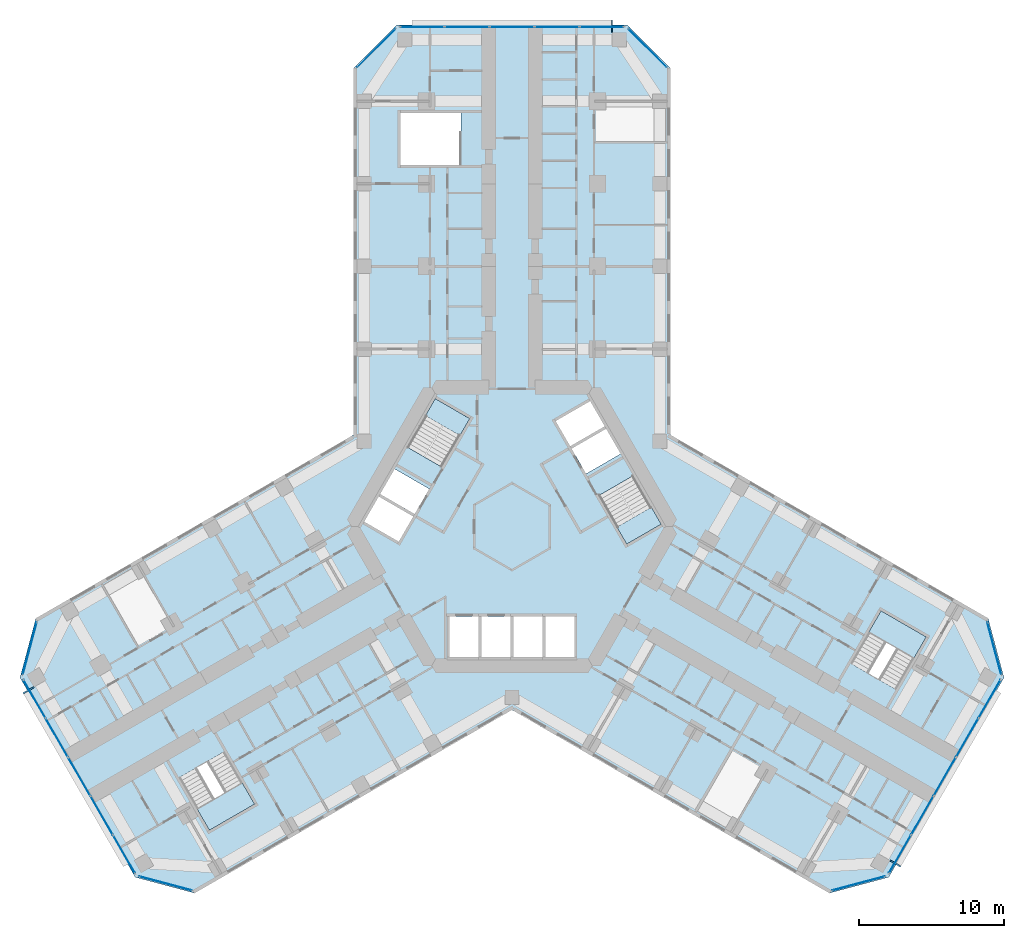
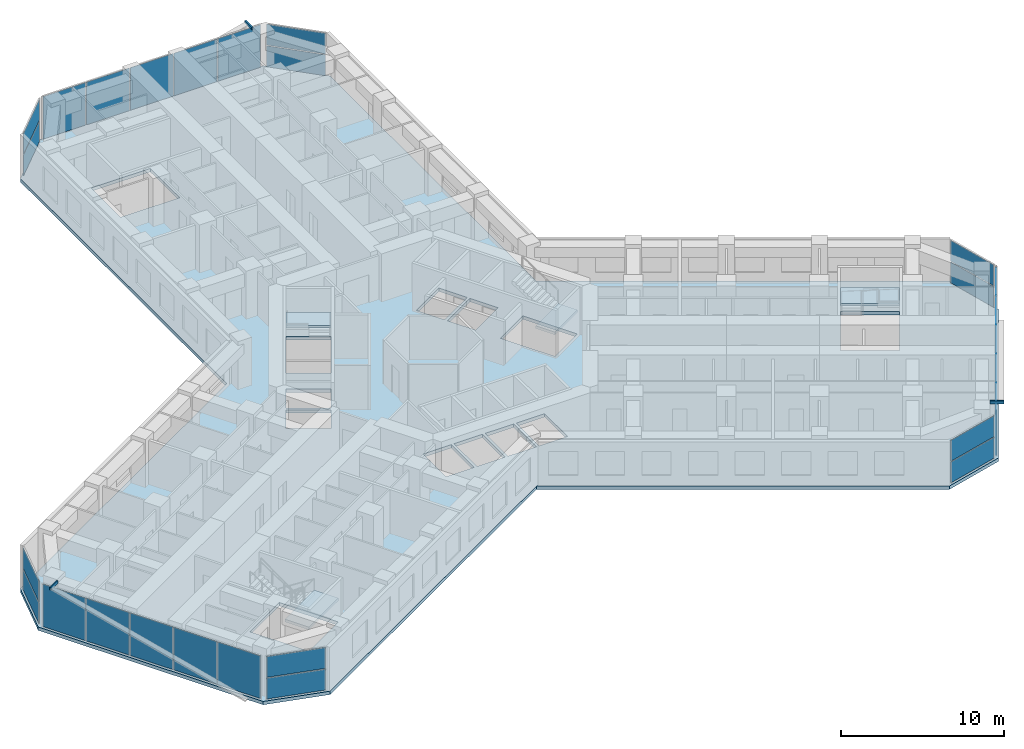
# One storey, part 9 of 21: 27 plates, 5 slabs, 3 members, 13 elements without a shape of their own.
"""IFC4 building model written with IfcOpenShell, lengths in metres."""

from ifc_helpers import new_model, si_unit, direction, frame, origin, origin_2d, place, context, subcontext, project, spatial, polyline, rectangle, hollow_rectangle, outline, extrude, material, layer, layer_set, material_profile, profile_set, type_object, element, aggregate, save


model = new_model("IFC4")

# Units and contexts
model_context = context("Model", 3, precision=1e-05, world=origin(), true_north=direction((0.0, 1.0)))
body_context = subcontext(model_context, "Body", "Model", "MODEL_VIEW")
ifc_project = project(units=[si_unit("LENGTHUNIT", "METRE"), si_unit("AREAUNIT", "SQUARE_METRE"), si_unit("VOLUMEUNIT", "CUBIC_METRE"), si_unit("PLANEANGLEUNIT", "RADIAN"), si_unit("MASSUNIT", "GRAM", prefix="KILO")], contexts=[model_context])

# Site, building, storey
site_placement = place(None, origin())
site = spatial("IfcSite", under=ifc_project, at=site_placement, CompositionType="ELEMENT")
building_placement = place(site_placement, origin())
building = spatial("IfcBuilding", under=site, at=building_placement, Name="Kosmar Iwan School Tower", CompositionType="ELEMENT")
storey_placement = place(building_placement, frame((0.0, 0.0, 109.60009765625)))
storey = spatial("IfcBuildingStorey", under=building, at=storey_placement, Name="L27", CompositionType="ELEMENT", Elevation=109.60009765625)

# Members
ifc_material_1 = material(Name="Steel S355", Category="steel")
ifc_material_profile = material_profile(ifc_material_1, hollow_rectangle(XDim=0.10009765625, YDim=0.199951171875, WallThickness=0.008056640625, at=origin_2d()), Name="RHS 200x100x8")
ifc_profile_set = profile_set([ifc_material_profile], Name="Steel S355")
member_type = type_object("IfcMemberType", Name="Fin bracket RHS 200x100", PredefinedType="USERDEFINED", material=ifc_profile_set)
member_1_placement = place(storey_placement, frame((26.08154296875, -23.025634765625, 3.449951171875), z_axis=(0.865989465428, -0.500062241894, 0.0), x_axis=(0.500062241894, 0.865989465428, 0.0)))
element("IfcMember", 1, at=member_1_placement, inside=storey, type_object=member_type, Name="Fin bracket L28", ObjectType="FIN BRACKET", PredefinedType="USERDEFINED", context=body_context, shape_type="SweptSolid", body=[
    extrude(hollow_rectangle(XDim=0.10009765625, YDim=0.199951171875, WallThickness=0.008056640625, at=origin_2d()), origin(), (0.0, 0.0, 1.0), 0.85009765625),
])
member_2_placement = place(storey_placement, frame((6.89990234375, 34.10009765625, 3.449951171875), z_axis=(0.0, 1.0, 0.0), x_axis=(-1.0, 0.0, 0.0)))
element("IfcMember", 2, at=member_2_placement, inside=storey, type_object=member_type, Name="Fin bracket L28", ObjectType="FIN BRACKET", PredefinedType="USERDEFINED", context=body_context, shape_type="SweptSolid", body=[
    extrude(hollow_rectangle(XDim=0.10009765625, YDim=0.199951171875, WallThickness=0.008056640625, at=origin_2d()), origin(), (0.0, 0.0, 1.0), 0.849853515625),
])
member_3_placement = place(storey_placement, frame((-32.9814453125, -11.074462890625, 3.449951171875), z_axis=(-0.865989465428, -0.500062241894, 0.0), x_axis=(0.500062241894, -0.865989465428, 0.0)))
element("IfcMember", 3, at=member_3_placement, inside=storey, type_object=member_type, Name="Fin bracket L28", ObjectType="FIN BRACKET", PredefinedType="USERDEFINED", context=body_context, shape_type="SweptSolid", body=[
    extrude(hollow_rectangle(XDim=0.10009765625, YDim=0.199951171875, WallThickness=0.008056640625, at=origin_2d()), origin(), (0.0, 0.0, 1.0), 0.85009765625),
])

# Curtain wall, plates
ifc_material_2 = material(Name="Dark glass in black aluminium frame", Category="aluminium")
curtain_wall_type_1 = type_object("IfcCurtainWallType", Name="Chamfer curtain wall dark glass", PredefinedType="USERDEFINED", material=ifc_material_2)
curtain_wall_1_placement = place(storey_placement, origin())
curtain_wall_1 = element("IfcCurtainWall", 4, at=curtain_wall_1_placement, inside=storey, type_object=curtain_wall_type_1, Name="Curtain wall L27-F02", ObjectType="FACETED CURTAIN WALL", PredefinedType="USERDEFINED")
ifc_material_3 = material(Name="Dark glass", Category="glass")
ifc_layer_1 = layer(ifc_material_3, 0.028076171875)
ifc_layer_set_1 = layer_set([ifc_layer_1], Name="Dark glass panel 28")
plate_type = type_object("IfcPlateType", Name="Dark glass panel 28", PredefinedType="CURTAIN_PANEL", material=ifc_layer_set_1)
plate_1_placement = place(storey_placement, frame((23.908203125, -24.61328125, 0.059814453125), z_axis=(0.0, 0.0, 1.0), x_axis=(0.965925875495, 0.258818861462, 0.0)))
plate_1 = element("IfcPlate", 5, at=plate_1_placement, type_object=plate_type, Name="CW2 panel 1.1", PredefinedType="CURTAIN_PANEL", context=body_context, shape_type="SweptSolid", body=[
    extrude(rectangle(XDim=3.718994140625, YDim=0.028076171875, at=origin_2d()), origin(), (0.0, 0.0, 1.0), 1.56005859375),
])
plate_2_placement = place(storey_placement, frame((23.908203125, -24.61328125, 1.679931640625), z_axis=(0.0, 0.0, 1.0), x_axis=(0.965925875495, 0.258818861462, 0.0)))
plate_2 = element("IfcPlate", 6, at=plate_2_placement, type_object=plate_type, Name="CW2 panel 1.2", PredefinedType="CURTAIN_PANEL", context=body_context, shape_type="SweptSolid", body=[
    extrude(rectangle(XDim=3.718994140625, YDim=0.028076171875, at=origin_2d()), origin(), (0.0, 0.0, 1.0), 1.56005859375),
])
aggregate(curtain_wall_1, [plate_1, plate_2])

ifc_material_4 = material(Name="Dark glass in black aluminium frame", Category="aluminium")
curtain_wall_type_2 = type_object("IfcCurtainWallType", Name="Tower curtain wall dark glass", PredefinedType="USERDEFINED", material=ifc_material_4)
curtain_wall_2_placement = place(storey_placement, origin())
curtain_wall_2 = element("IfcCurtainWall", 7, at=curtain_wall_2_placement, inside=storey, type_object=curtain_wall_type_2, Name="Curtain wall L27-F03", ObjectType="UNITISED CURTAIN WALL", PredefinedType="USERDEFINED")
plate_3_placement = place(storey_placement, frame((26.764404296875, -22.592529296875, 0.06005859375), z_axis=(0.0, 0.0, 1.0), x_axis=(0.499999997325, 0.866025405329, 0.0)))
plate_3 = element("IfcPlate", 8, at=plate_3_placement, type_object=plate_type, Name="CW1 panel 1.1", PredefinedType="CURTAIN_PANEL", context=body_context, shape_type="SweptSolid", body=[
    extrude(rectangle(XDim=3.00927734375, YDim=0.028076171875, at=origin_2d()), origin(), (0.0, 0.0, 1.0), 3.179931640625),
])
plate_4_placement = place(storey_placement, frame((28.306640625, -19.921630859375, 0.06005859375), z_axis=(0.0, 0.0, 1.0), x_axis=(0.499999997325, 0.866025405329, 0.0)))
plate_4 = element("IfcPlate", 9, at=plate_4_placement, type_object=plate_type, Name="CW1 panel 2.1", PredefinedType="CURTAIN_PANEL", context=body_context, shape_type="SweptSolid", body=[
    extrude(rectangle(XDim=3.039306640625, YDim=0.028076171875, at=origin_2d()), origin(), (0.0, 0.0, 1.0), 3.179931640625),
])
plate_5_placement = place(storey_placement, frame((29.856201171875, -17.237548828125, 0.06005859375), z_axis=(0.0, 0.0, 1.0), x_axis=(0.499999997325, 0.866025405329, 0.0)))
plate_5 = element("IfcPlate", 10, at=plate_5_placement, type_object=plate_type, Name="CW1 panel 3.1", PredefinedType="CURTAIN_PANEL", context=body_context, shape_type="SweptSolid", body=[
    extrude(rectangle(XDim=3.039306640625, YDim=0.028076171875, at=origin_2d()), origin(), (0.0, 0.0, 1.0), 3.179931640625),
])
plate_6_placement = place(storey_placement, frame((31.40576171875, -14.553466796875, 0.06005859375), z_axis=(0.0, 0.0, 1.0), x_axis=(0.499999997325, 0.866025405329, 0.0)))
plate_6 = element("IfcPlate", 11, at=plate_6_placement, type_object=plate_type, Name="CW1 panel 4.1", PredefinedType="CURTAIN_PANEL", context=body_context, shape_type="SweptSolid", body=[
    extrude(rectangle(XDim=3.039306640625, YDim=0.028076171875, at=origin_2d()), origin(), (0.0, 0.0, 1.0), 3.179931640625),
])
plate_7_placement = place(storey_placement, frame((32.947998046875, -11.88232421875, 0.06005859375), z_axis=(0.0, 0.0, 1.0), x_axis=(0.499999997325, 0.866025405329, 0.0)))
plate_7 = element("IfcPlate", 12, at=plate_7_placement, type_object=plate_type, Name="CW1 panel 5.1", PredefinedType="CURTAIN_PANEL", context=body_context, shape_type="SweptSolid", body=[
    extrude(rectangle(XDim=3.00927734375, YDim=0.028076171875, at=origin_2d()), origin(), (0.0, 0.0, 1.0), 3.179931640625),
])
aggregate(curtain_wall_2, [plate_3, plate_4, plate_5, plate_6, plate_7])

curtain_wall_3_placement = place(storey_placement, origin())
curtain_wall_3 = element("IfcCurtainWall", 13, at=curtain_wall_3_placement, inside=storey, type_object=curtain_wall_type_1, Name="Curtain wall L27-F04", ObjectType="FACETED CURTAIN WALL", PredefinedType="USERDEFINED")
plate_8_placement = place(storey_placement, frame((33.269775390625, -8.3984375, 0.059814453125), z_axis=(0.0, 0.0, 1.0), x_axis=(-0.258818861462, 0.965925875495, 0.0)))
plate_8 = element("IfcPlate", 14, at=plate_8_placement, type_object=plate_type, Name="CW2 panel 1.1", PredefinedType="CURTAIN_PANEL", context=body_context, shape_type="SweptSolid", body=[
    extrude(rectangle(XDim=3.718994140625, YDim=0.028076171875, at=origin_2d()), origin(), (0.0, 0.0, 1.0), 1.56005859375),
])
plate_9_placement = place(storey_placement, frame((33.269775390625, -8.3984375, 1.679931640625), z_axis=(0.0, 0.0, 1.0), x_axis=(-0.258818861462, 0.965925875495, 0.0)))
plate_9 = element("IfcPlate", 15, at=plate_9_placement, type_object=plate_type, Name="CW2 panel 1.2", PredefinedType="CURTAIN_PANEL", context=body_context, shape_type="SweptSolid", body=[
    extrude(rectangle(XDim=3.718994140625, YDim=0.028076171875, at=origin_2d()), origin(), (0.0, 0.0, 1.0), 1.56005859375),
])
aggregate(curtain_wall_3, [plate_8, plate_9])

curtain_wall_4_placement = place(storey_placement, origin())
curtain_wall_4 = element("IfcCurtainWall", 16, at=curtain_wall_4_placement, inside=storey, type_object=curtain_wall_type_1, Name="Curtain wall L27-F07", ObjectType="FACETED CURTAIN WALL", PredefinedType="USERDEFINED")
plate_10_placement = place(storey_placement, frame((9.361572265625, 33.01171875, 0.059814453125), z_axis=(0.0, 0.0, 1.0), x_axis=(-0.707106781187, 0.707106781187, 0.0)))
plate_10 = element("IfcPlate", 17, at=plate_10_placement, type_object=plate_type, Name="CW2 panel 1.1", PredefinedType="CURTAIN_PANEL", context=body_context, shape_type="SweptSolid", body=[
    extrude(rectangle(XDim=3.718994140625, YDim=0.028076171875, at=origin_2d()), origin(), (0.0, 0.0, 1.0), 1.56005859375),
])
plate_11_placement = place(storey_placement, frame((9.361572265625, 33.01171875, 1.679931640625), z_axis=(0.0, 0.0, 1.0), x_axis=(-0.707106781187, 0.707106781187, 0.0)))
plate_11 = element("IfcPlate", 18, at=plate_11_placement, type_object=plate_type, Name="CW2 panel 1.2", PredefinedType="CURTAIN_PANEL", context=body_context, shape_type="SweptSolid", body=[
    extrude(rectangle(XDim=3.718994140625, YDim=0.028076171875, at=origin_2d()), origin(), (0.0, 0.0, 1.0), 1.56005859375),
])
aggregate(curtain_wall_4, [plate_10, plate_11])

curtain_wall_5_placement = place(storey_placement, origin())
curtain_wall_5 = element("IfcCurtainWall", 19, at=curtain_wall_5_placement, inside=storey, type_object=curtain_wall_type_2, Name="Curtain wall L27-F08", ObjectType="UNITISED CURTAIN WALL", PredefinedType="USERDEFINED")
plate_12_placement = place(storey_placement, frame((6.18359375, 34.47509765625, 0.06005859375), z_axis=(0.0, 0.0, 1.0), x_axis=(-1.0, 0.0, 0.0)))
plate_12 = element("IfcPlate", 20, at=plate_12_placement, type_object=plate_type, Name="CW1 panel 1.1", PredefinedType="CURTAIN_PANEL", context=body_context, shape_type="SweptSolid", body=[
    extrude(rectangle(XDim=3.00927734375, YDim=0.028076171875, at=origin_2d()), origin(), (0.0, 0.0, 1.0), 3.179931640625),
])
plate_13_placement = place(storey_placement, frame((3.099365234375, 34.47509765625, 0.06005859375), z_axis=(0.0, 0.0, 1.0), x_axis=(-1.0, 0.0, 0.0)))
plate_13 = element("IfcPlate", 21, at=plate_13_placement, type_object=plate_type, Name="CW1 panel 2.1", PredefinedType="CURTAIN_PANEL", context=body_context, shape_type="SweptSolid", body=[
    extrude(rectangle(XDim=3.039306640625, YDim=0.028076171875, at=origin_2d()), origin(), (0.0, 0.0, 1.0), 3.179931640625),
])
plate_14_placement = place(storey_placement, frame((0.0, 34.47509765625, 0.06005859375), z_axis=(0.0, 0.0, 1.0), x_axis=(-1.0, 0.0, 0.0)))
plate_14 = element("IfcPlate", 22, at=plate_14_placement, type_object=plate_type, Name="CW1 panel 3.1", PredefinedType="CURTAIN_PANEL", context=body_context, shape_type="SweptSolid", body=[
    extrude(rectangle(XDim=3.039306640625, YDim=0.028076171875, at=origin_2d()), origin(), (0.0, 0.0, 1.0), 3.179931640625),
])
plate_15_placement = place(storey_placement, frame((-3.099365234375, 34.47509765625, 0.06005859375), z_axis=(0.0, 0.0, 1.0), x_axis=(-1.0, 0.0, 0.0)))
plate_15 = element("IfcPlate", 23, at=plate_15_placement, type_object=plate_type, Name="CW1 panel 4.1", PredefinedType="CURTAIN_PANEL", context=body_context, shape_type="SweptSolid", body=[
    extrude(rectangle(XDim=3.039306640625, YDim=0.028076171875, at=origin_2d()), origin(), (0.0, 0.0, 1.0), 3.179931640625),
])
plate_16_placement = place(storey_placement, frame((-6.18359375, 34.47509765625, 0.06005859375), z_axis=(0.0, 0.0, 1.0), x_axis=(-1.0, 0.0, 0.0)))
plate_16 = element("IfcPlate", 24, at=plate_16_placement, type_object=plate_type, Name="CW1 panel 5.1", PredefinedType="CURTAIN_PANEL", context=body_context, shape_type="SweptSolid", body=[
    extrude(rectangle(XDim=3.00927734375, YDim=0.028076171875, at=origin_2d()), origin(), (0.0, 0.0, 1.0), 3.179931640625),
])
aggregate(curtain_wall_5, [plate_12, plate_13, plate_14, plate_15, plate_16])

curtain_wall_6_placement = place(storey_placement, origin())
curtain_wall_6 = element("IfcCurtainWall", 25, at=curtain_wall_6_placement, inside=storey, type_object=curtain_wall_type_1, Name="Curtain wall L27-F09", ObjectType="FACETED CURTAIN WALL", PredefinedType="USERDEFINED")
plate_17_placement = place(storey_placement, frame((-9.361572265625, 33.01171875, 0.059814453125), z_axis=(0.0, 0.0, 1.0), x_axis=(-0.707106781187, -0.707106781187, 0.0)))
plate_17 = element("IfcPlate", 26, at=plate_17_placement, type_object=plate_type, Name="CW2 panel 1.1", PredefinedType="CURTAIN_PANEL", context=body_context, shape_type="SweptSolid", body=[
    extrude(rectangle(XDim=3.718994140625, YDim=0.028076171875, at=origin_2d()), origin(), (0.0, 0.0, 1.0), 1.56005859375),
])
plate_18_placement = place(storey_placement, frame((-9.361572265625, 33.01171875, 1.679931640625), z_axis=(0.0, 0.0, 1.0), x_axis=(-0.707106781187, -0.707106781187, 0.0)))
plate_18 = element("IfcPlate", 27, at=plate_18_placement, type_object=plate_type, Name="CW2 panel 1.2", PredefinedType="CURTAIN_PANEL", context=body_context, shape_type="SweptSolid", body=[
    extrude(rectangle(XDim=3.718994140625, YDim=0.028076171875, at=origin_2d()), origin(), (0.0, 0.0, 1.0), 1.56005859375),
])
aggregate(curtain_wall_6, [plate_17, plate_18])

curtain_wall_7_placement = place(storey_placement, origin())
curtain_wall_7 = element("IfcCurtainWall", 28, at=curtain_wall_7_placement, inside=storey, type_object=curtain_wall_type_1, Name="Curtain wall L27-F12", ObjectType="FACETED CURTAIN WALL", PredefinedType="USERDEFINED")
plate_19_placement = place(storey_placement, frame((-33.269775390625, -8.3984375, 0.059814453125), z_axis=(0.0, 0.0, 1.0), x_axis=(-0.258818861462, -0.965925875495, 0.0)))
plate_19 = element("IfcPlate", 29, at=plate_19_placement, type_object=plate_type, Name="CW2 panel 1.1", PredefinedType="CURTAIN_PANEL", context=body_context, shape_type="SweptSolid", body=[
    extrude(rectangle(XDim=3.718994140625, YDim=0.028076171875, at=origin_2d()), origin(), (0.0, 0.0, 1.0), 1.56005859375),
])
plate_20_placement = place(storey_placement, frame((-33.269775390625, -8.3984375, 1.679931640625), z_axis=(0.0, 0.0, 1.0), x_axis=(-0.258818861462, -0.965925875495, 0.0)))
plate_20 = element("IfcPlate", 30, at=plate_20_placement, type_object=plate_type, Name="CW2 panel 1.2", PredefinedType="CURTAIN_PANEL", context=body_context, shape_type="SweptSolid", body=[
    extrude(rectangle(XDim=3.718994140625, YDim=0.028076171875, at=origin_2d()), origin(), (0.0, 0.0, 1.0), 1.56005859375),
])
aggregate(curtain_wall_7, [plate_19, plate_20])

curtain_wall_8_placement = place(storey_placement, origin())
curtain_wall_8 = element("IfcCurtainWall", 31, at=curtain_wall_8_placement, inside=storey, type_object=curtain_wall_type_2, Name="Curtain wall L27-F13", ObjectType="UNITISED CURTAIN WALL", PredefinedType="USERDEFINED")
plate_21_placement = place(storey_placement, frame((-32.947998046875, -11.88232421875, 0.06005859375), z_axis=(0.0, 0.0, 1.0), x_axis=(0.499999997325, -0.866025405329, 0.0)))
plate_21 = element("IfcPlate", 32, at=plate_21_placement, type_object=plate_type, Name="CW1 panel 1.1", PredefinedType="CURTAIN_PANEL", context=body_context, shape_type="SweptSolid", body=[
    extrude(rectangle(XDim=3.00927734375, YDim=0.028076171875, at=origin_2d()), origin(), (0.0, 0.0, 1.0), 3.179931640625),
])
plate_22_placement = place(storey_placement, frame((-31.40576171875, -14.553466796875, 0.06005859375), z_axis=(0.0, 0.0, 1.0), x_axis=(0.499999997325, -0.866025405329, 0.0)))
plate_22 = element("IfcPlate", 33, at=plate_22_placement, type_object=plate_type, Name="CW1 panel 2.1", PredefinedType="CURTAIN_PANEL", context=body_context, shape_type="SweptSolid", body=[
    extrude(rectangle(XDim=3.039306640625, YDim=0.028076171875, at=origin_2d()), origin(), (0.0, 0.0, 1.0), 3.179931640625),
])
plate_23_placement = place(storey_placement, frame((-29.856201171875, -17.237548828125, 0.06005859375), z_axis=(0.0, 0.0, 1.0), x_axis=(0.499999997325, -0.866025405329, 0.0)))
plate_23 = element("IfcPlate", 34, at=plate_23_placement, type_object=plate_type, Name="CW1 panel 3.1", PredefinedType="CURTAIN_PANEL", context=body_context, shape_type="SweptSolid", body=[
    extrude(rectangle(XDim=3.039306640625, YDim=0.028076171875, at=origin_2d()), origin(), (0.0, 0.0, 1.0), 3.179931640625),
])
plate_24_placement = place(storey_placement, frame((-28.306640625, -19.921630859375, 0.06005859375), z_axis=(0.0, 0.0, 1.0), x_axis=(0.499999997325, -0.866025405329, 0.0)))
plate_24 = element("IfcPlate", 35, at=plate_24_placement, type_object=plate_type, Name="CW1 panel 4.1", PredefinedType="CURTAIN_PANEL", context=body_context, shape_type="SweptSolid", body=[
    extrude(rectangle(XDim=3.039306640625, YDim=0.028076171875, at=origin_2d()), origin(), (0.0, 0.0, 1.0), 3.179931640625),
])
plate_25_placement = place(storey_placement, frame((-26.764404296875, -22.592529296875, 0.06005859375), z_axis=(0.0, 0.0, 1.0), x_axis=(0.499999997325, -0.866025405329, 0.0)))
plate_25 = element("IfcPlate", 36, at=plate_25_placement, type_object=plate_type, Name="CW1 panel 5.1", PredefinedType="CURTAIN_PANEL", context=body_context, shape_type="SweptSolid", body=[
    extrude(rectangle(XDim=3.00927734375, YDim=0.028076171875, at=origin_2d()), origin(), (0.0, 0.0, 1.0), 3.179931640625),
])
aggregate(curtain_wall_8, [plate_21, plate_22, plate_23, plate_24, plate_25])

curtain_wall_9_placement = place(storey_placement, origin())
curtain_wall_9 = element("IfcCurtainWall", 37, at=curtain_wall_9_placement, inside=storey, type_object=curtain_wall_type_1, Name="Curtain wall L27-F14", ObjectType="FACETED CURTAIN WALL", PredefinedType="USERDEFINED")
plate_26_placement = place(storey_placement, frame((-23.908203125, -24.61328125, 0.059814453125), z_axis=(0.0, 0.0, 1.0), x_axis=(0.965925875495, -0.258818861462, 0.0)))
plate_26 = element("IfcPlate", 38, at=plate_26_placement, type_object=plate_type, Name="CW2 panel 1.1", PredefinedType="CURTAIN_PANEL", context=body_context, shape_type="SweptSolid", body=[
    extrude(rectangle(XDim=3.718994140625, YDim=0.028076171875, at=origin_2d()), origin(), (0.0, 0.0, 1.0), 1.56005859375),
])
plate_27_placement = place(storey_placement, frame((-23.908203125, -24.61328125, 1.679931640625), z_axis=(0.0, 0.0, 1.0), x_axis=(0.965925875495, -0.258818861462, 0.0)))
plate_27 = element("IfcPlate", 39, at=plate_27_placement, type_object=plate_type, Name="CW2 panel 1.2", PredefinedType="CURTAIN_PANEL", context=body_context, shape_type="SweptSolid", body=[
    extrude(rectangle(XDim=3.718994140625, YDim=0.028076171875, at=origin_2d()), origin(), (0.0, 0.0, 1.0), 1.56005859375),
])
aggregate(curtain_wall_9, [plate_26, plate_27])

# Stair, slab
ifc_material_5 = material(Name="Concrete C35/45", Category="concrete")
stair_type_1 = type_object("IfcStairType", Name="Escape stair 3600", PredefinedType="HALF_TURN_STAIR", material=ifc_material_5)
stair_1_placement = place(storey_placement, origin())
stair_1 = element("IfcStair", 40, at=stair_1_placement, inside=storey, type_object=stair_type_1, Name="Stair WS2 L27", PredefinedType="HALF_TURN_STAIR")
ifc_material_6 = material(Name="Concrete C35/45", Category="concrete")
ifc_layer_2 = layer(ifc_material_6, 0.199951171875)
ifc_layer_set_2 = layer_set([ifc_layer_2], Name="Escape stair landing 200")
slab_type_1 = type_object("IfcSlabType", Name="Escape stair landing 200", PredefinedType="LANDING", material=ifc_layer_set_2)
slab_1_placement = place(storey_placement, frame((0.0, 0.0, 1.599853515625)))
slab_1 = element("IfcSlab", 41, at=slab_1_placement, type_object=slab_type_1, Name="WS2 landing 1", PredefinedType="LANDING", context=body_context, shape_type="SweptSolid", body=[
    extrude(outline(polyline([(-18.607421875, -17.671142578125), (-21.72509765625, -19.47119140625), (-20.875, -20.943359375), (-17.75732421875, -19.143310546875), (-18.607421875, -17.671142578125)])), origin(), (0.0, 0.0, 1.0), 0.199951171875),
])
aggregate(stair_1, [slab_1])

stair_2_placement = place(storey_placement, origin())
stair_2 = element("IfcStair", 42, at=stair_2_placement, inside=storey, type_object=stair_type_1, Name="Stair WS3 L27", PredefinedType="HALF_TURN_STAIR")
slab_2_placement = place(storey_placement, frame((0.0, 0.0, 1.599853515625)))
slab_2 = element("IfcSlab", 43, at=slab_2_placement, type_object=slab_type_1, Name="WS3 landing 1", PredefinedType="LANDING", context=body_context, shape_type="SweptSolid", body=[
    extrude(outline(polyline([(24.607421875, -7.27880859375), (27.72509765625, -9.078857421875), (28.574951171875, -7.606689453125), (25.457275390625, -5.806640625), (24.607421875, -7.27880859375)])), origin(), (0.0, 0.0, 1.0), 0.199951171875),
])
aggregate(stair_2, [slab_2])

# Slab
ifc_material_7 = material(Name="Concrete C35/45", Category="concrete")
ifc_layer_3 = layer(ifc_material_7, 0.25)
ifc_layer_set_3 = layer_set([ifc_layer_3], Name="Floor slab 250")
slab_type_2 = type_object("IfcSlabType", Name="Floor slab 250", PredefinedType="FLOOR", material=ifc_layer_set_3)
slab_3_placement = place(storey_placement, frame((0.0, 0.0, -0.25)))
element("IfcSlab", 44, at=slab_3_placement, inside=storey, type_object=slab_type_2, Name="L27 floor slab", PredefinedType="FLOOR", context=body_context, shape_type="SweptSolid", body=[
    extrude(outline(polyline([(-21.891357421875, -25.282958984375), (0.0, -12.64404296875), (21.891357421875, -25.282958984375), (25.989501953125, -24.184814453125), (33.939453125, -10.4150390625), (32.84130859375, -6.317138671875), (10.949951171875, 6.322021484375), (10.949951171875, 31.60009765625), (7.949951171875, 34.60009765625), (-7.949951171875, 34.60009765625), (-10.949951171875, 31.60009765625), (-10.949951171875, 6.322021484375), (-32.84130859375, -6.317138671875), (-33.939453125, -10.4150390625), (-25.989501953125, -24.184814453125), (-21.891357421875, -25.282958984375)]), holes=[polyline([(7.91259765625, -1.205078125), (10.294189453125, 0.169921875), (8.3642578125, 3.5126953125), (5.982666015625, 2.1376953125), (7.91259765625, -1.205078125)]), polyline([(-2.91259765625, 7.455078125), (-5.294189453125, 8.830078125), (-7.22412109375, 5.4873046875), (-4.8427734375, 4.1123046875), (-2.91259765625, 7.455078125)]), polyline([(-5.712646484375, 2.60546875), (-8.09423828125, 3.98046875), (-9.09423828125, 2.248291015625), (-6.712646484375, 0.873291015625), (-5.712646484375, 2.60546875)]), polyline([(-6.812744140625, 0.7001953125), (-9.1943359375, 2.0751953125), (-10.1943359375, 0.343017578125), (-7.812744140625, -1.031982421875), (-6.812744140625, 0.7001953125)]), polyline([(5.112548828125, 3.64453125), (7.494140625, 5.01953125), (6.494140625, 6.751708984375), (4.112548828125, 5.376708984375), (5.112548828125, 3.64453125)]), polyline([(4.0126953125, 5.5498046875), (6.394287109375, 6.9248046875), (5.394287109375, 8.656982421875), (3.0126953125, 7.281982421875), (4.0126953125, 5.5498046875)]), polyline([(-4.300048828125, -6.199951171875), (-4.300048828125, -9.0), (-2.300048828125, -9.0), (-2.300048828125, -6.199951171875), (-4.300048828125, -6.199951171875)]), polyline([(-2.10009765625, -6.199951171875), (-2.10009765625, -9.0), (-0.10009765625, -9.0), (-0.10009765625, -6.199951171875), (-2.10009765625, -6.199951171875)]), polyline([(0.10009765625, -6.199951171875), (0.10009765625, -9.0), (2.10009765625, -9.0), (2.10009765625, -6.199951171875), (0.10009765625, -6.199951171875)]), polyline([(2.300048828125, -6.199951171875), (2.300048828125, -9.0), (4.300048828125, -9.0), (4.300048828125, -6.199951171875), (2.300048828125, -6.199951171875)]), polyline([(-3.52001953125, 24.949951171875), (-3.52001953125, 28.550048828125), (-7.699951171875, 28.550048828125), (-7.699951171875, 24.949951171875), (-3.52001953125, 24.949951171875)]), polyline([(-19.847412109375, -15.5234375), (-22.965087890625, -17.323486328125), (-20.875, -20.943359375), (-17.75732421875, -19.143310546875), (-19.847412109375, -15.5234375)]), polyline([(23.367431640625, -9.426513671875), (26.485107421875, -11.2265625), (28.574951171875, -7.606689453125), (25.457275390625, -5.806640625), (23.367431640625, -9.426513671875)])]), origin(), (0.0, 0.0, 1.0), 0.25),
])

# Stair, slab
ifc_material_8 = material(Name="Concrete C35/45", Category="concrete")
stair_type_2 = type_object("IfcStairType", Name="Core stair 2750", PredefinedType="HALF_TURN_STAIR", material=ifc_material_8)
stair_3_placement = place(storey_placement, origin())
stair_3 = element("IfcStair", 45, at=stair_3_placement, inside=storey, type_object=stair_type_2, Name="Stair ST2 L27", PredefinedType="HALF_TURN_STAIR")
ifc_material_9 = material(Name="Concrete C35/45", Category="concrete")
ifc_layer_4 = layer(ifc_material_9, 0.199951171875)
ifc_layer_set_4 = layer_set([ifc_layer_4], Name="Stair landing 200")
slab_type_3 = type_object("IfcSlabType", Name="Stair landing 200", PredefinedType="LANDING", material=ifc_layer_set_4)
slab_4_placement = place(storey_placement, frame((0.0, 0.0, 1.599853515625)))
slab_4 = element("IfcSlab", 46, at=slab_4_placement, type_object=slab_type_3, Name="ST2 landing 1", PredefinedType="LANDING", context=body_context, shape_type="SweptSolid", body=[
    extrude(outline(polyline([(-2.91259765625, 7.455078125), (-5.294189453125, 8.830078125), (-5.97412109375, 7.65234375), (-3.5927734375, 6.27734375), (-2.91259765625, 7.455078125)])), origin(), (0.0, 0.0, 1.0), 0.199951171875),
])
aggregate(stair_3, [slab_4])

stair_4_placement = place(storey_placement, origin())
stair_4 = element("IfcStair", 47, at=stair_4_placement, inside=storey, type_object=stair_type_2, Name="Stair ST1 L27", PredefinedType="HALF_TURN_STAIR")
slab_5_placement = place(storey_placement, frame((0.0, 0.0, 1.599853515625)))
slab_5 = element("IfcSlab", 48, at=slab_5_placement, type_object=slab_type_3, Name="ST1 landing 1", PredefinedType="LANDING", context=body_context, shape_type="SweptSolid", body=[
    extrude(outline(polyline([(7.91259765625, -1.205078125), (10.294189453125, 0.169921875), (9.6142578125, 1.34765625), (7.232666015625, -0.02734375), (7.91259765625, -1.205078125)])), origin(), (0.0, 0.0, 1.0), 0.199951171875),
])
aggregate(stair_4, [slab_5])

save(model, "model.ifc")
